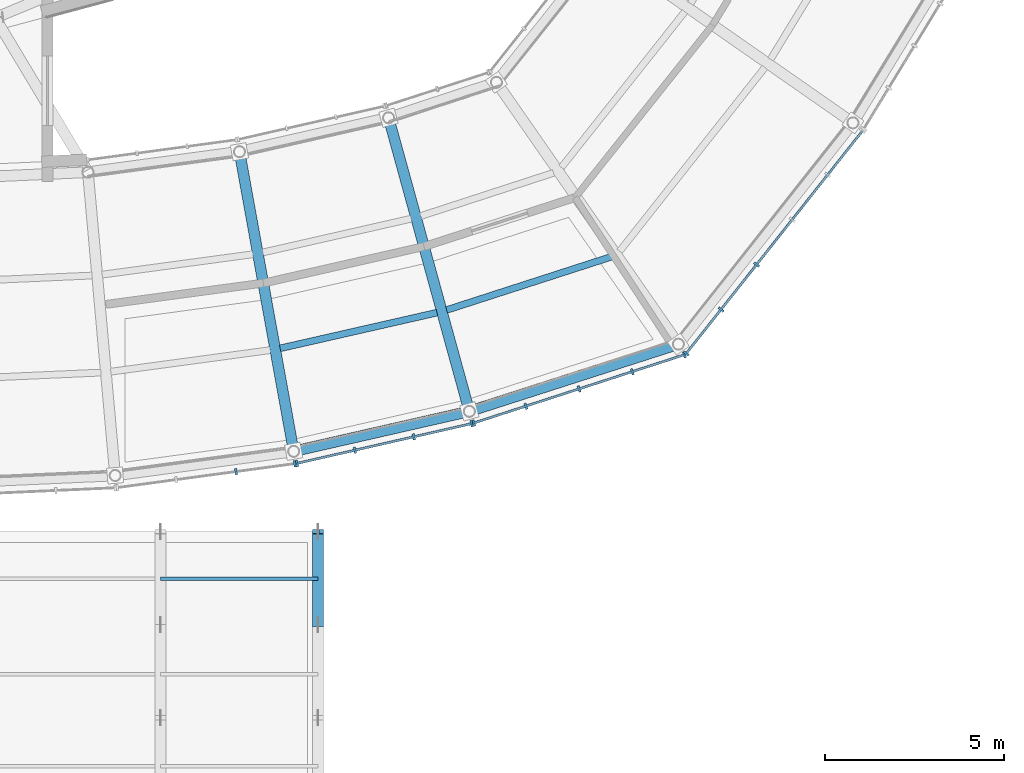
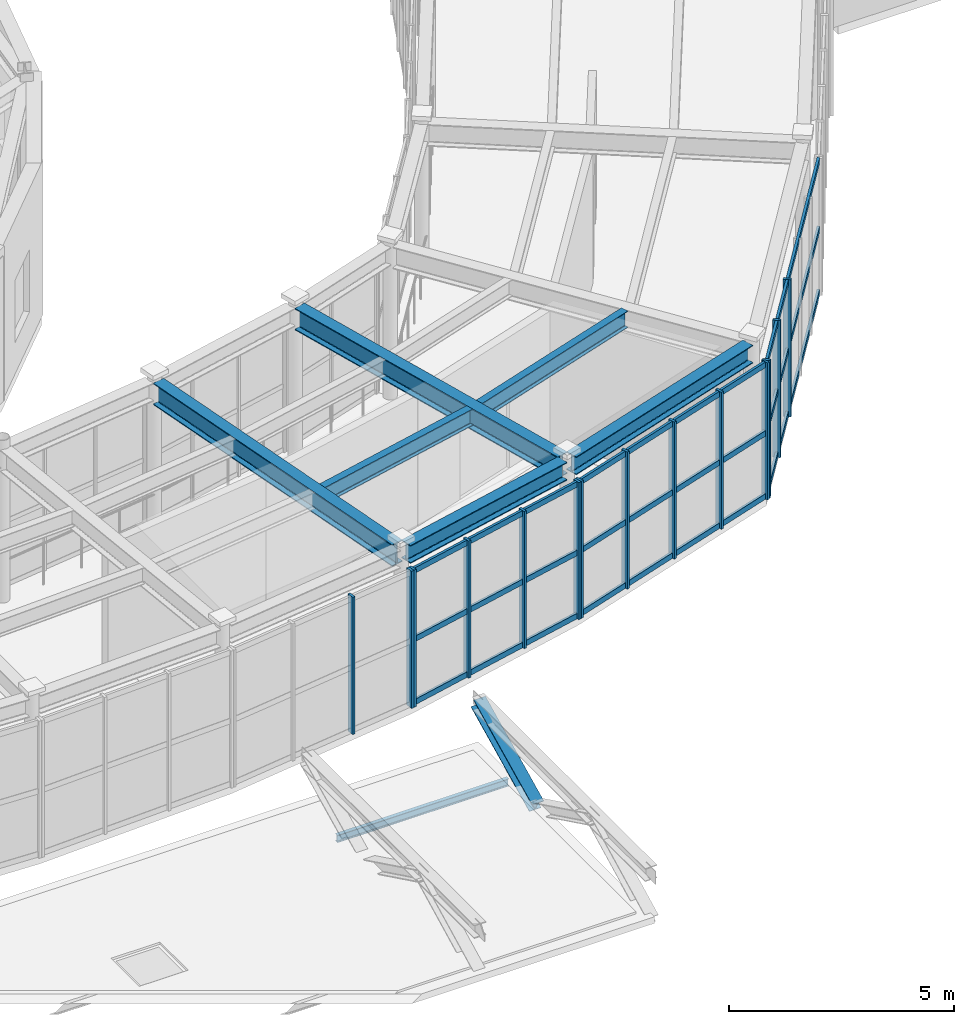
# One storey, part 27 of 103: 25 members, 6 beams, 4 elements without a shape of their own.
"""IFC4 building model written with IfcOpenShell, lengths in metres."""

from ifc_helpers import new_model, si_unit, direction, frame, origin, origin_2d, place, context, subcontext, project, spatial, rectangle, i_section, extrude, material, material_profile, profile_set, type_object, element, aggregate, save


model = new_model("IFC4")

# Units and contexts
model_context = context("Model", 3, precision=1e-05, world=origin(), true_north=direction((0.0, 1.0)))
body_context = subcontext(model_context, "Body", "Model", "MODEL_VIEW")
ifc_project = project(units=[si_unit("LENGTHUNIT", "METRE"), si_unit("AREAUNIT", "SQUARE_METRE"), si_unit("VOLUMEUNIT", "CUBIC_METRE"), si_unit("PLANEANGLEUNIT", "RADIAN"), si_unit("MASSUNIT", "GRAM", prefix="KILO")], contexts=[model_context])

# Site, building, storey
site_placement = place(None, origin())
site = spatial("IfcSite", under=ifc_project, at=site_placement, CompositionType="ELEMENT")
building_placement = place(site_placement, origin())
building = spatial("IfcBuilding", under=site, at=building_placement, Name="Varnklinge Art Gallery", CompositionType="ELEMENT")
storey_placement = place(building_placement, frame((0.0, 0.0, 5.10009765625)))
storey = spatial("IfcBuildingStorey", under=building, at=storey_placement, Name="L01", CompositionType="ELEMENT", Elevation=5.10009765625)

# Beams
ifc_material_1 = material(Name="Steel S355", Category="steel")
ifc_material_profile_1 = material_profile(ifc_material_1, i_section(OverallWidth=0.300048828125, OverallDepth=0.590087890625, WebThickness=0.012939453125, FlangeThickness=0.02490234375, FilletRadius=0.027099609375, at=origin_2d()), Name="HEA 600")
ifc_profile_set_1 = profile_set([ifc_material_profile_1], Name="Steel S355")
beam_type_1 = type_object("IfcBeamType", Name="BM-06", PredefinedType="BEAM", material=ifc_profile_set_1)
for number, where, z_axis, x_axis, name in (
    (1, (85.495361328125, 13.78271484375, 3.885009765625), (-0.178151776958, 0.984003020507, 0.0), (-0.984003020507, -0.178151776958, 0.0), "L01 BM-06 BM-V2-L02-R39"),
    (2, (90.392578125, 14.897705078125, 3.885009765625), (-0.26537851046, 0.96414430776, 0.0), (-0.96414430776, -0.26537851046, 0.0), "L01 BM-06 BM-V2-L02-R40"),
):
    element("IfcBeam", number, at=place(storey_placement, frame(where, z_axis=z_axis, x_axis=x_axis)), inside=storey, type_object=beam_type_1, Name=name, PredefinedType="BEAM", context=body_context, shape_type="SweptSolid", body=[
        extrude(i_section(OverallWidth=0.300048828125, OverallDepth=0.590087890625, WebThickness=0.012939453125, FlangeThickness=0.02490234375, FilletRadius=0.027099609375, at=origin_2d()), origin(), (0.0, 0.0, 1.0), 8.229248046875),
    ])

# Member
ifc_material_2 = material(Name="Steel S355", Category="steel")
ifc_material_profile_2 = material_profile(ifc_material_2, i_section(OverallWidth=0.300048828125, OverallDepth=0.300048828125, WebThickness=0.010986328125, FlangeThickness=0.01904296875, FilletRadius=0.027099609375, at=origin_2d()), Name="HEB 300")
ifc_profile_set_2 = profile_set([ifc_material_profile_2], Name="Steel S355")
member_type_1 = type_object("IfcMemberType", Name="CHD-02", PredefinedType="CHORD", material=ifc_profile_set_2)
member_1_placement = place(storey_placement, frame((86.199951171875, 11.39990234375, 1.0498046875), z_axis=(0.0, -0.898523407321, -0.438925604741), x_axis=(1.0, 0.0, 0.0)))
element("IfcMember", 3, at=member_1_placement, inside=storey, type_object=member_type_1, Name="Entrance Canopy Truss Diagonal 4.1", PredefinedType="CHORD", context=body_context, shape_type="SweptSolid", body=[
    extrude(i_section(OverallWidth=0.300048828125, OverallDepth=0.300048828125, WebThickness=0.010986328125, FlangeThickness=0.01904296875, FilletRadius=0.027099609375, at=origin_2d()), origin(), (0.0, 0.0, 1.0), 2.8935546875),
])

# Beams
ifc_material_3 = material(Name="Steel S355", Category="steel")
ifc_material_profile_3 = material_profile(ifc_material_3, i_section(OverallWidth=0.18994140625, OverallDepth=0.449951171875, WebThickness=0.009521484375, FlangeThickness=0.0146484375, FilletRadius=0.02099609375, at=origin_2d()), Name="IPE 450")
ifc_profile_set_3 = profile_set([ifc_material_profile_3], Name="Steel S355")
beam_type_2 = type_object("IfcBeamType", Name="JST-04", PredefinedType="JOIST", material=ifc_profile_set_3)
beam_1_placement = place(storey_placement, frame((85.141357421875, 16.52294921875, 3.954833984375), z_axis=(0.975052249235, 0.22197547446, 0.0), x_axis=(-0.22197547446, 0.975052249235, 0.0)))
element("IfcBeam", 4, at=beam_1_placement, inside=storey, type_object=beam_type_2, Name="L01 JST-04 JST-V2-L02-39-1", PredefinedType="JOIST", context=body_context, shape_type="SweptSolid", body=[
    extrude(i_section(OverallWidth=0.18994140625, OverallDepth=0.449951171875, WebThickness=0.009521484375, FlangeThickness=0.0146484375, FilletRadius=0.02099609375, at=origin_2d()), origin(), (0.0, 0.0, 1.0), 4.49609375),
])
beam_2_placement = place(storey_placement, frame((89.795166015625, 17.59521484375, 3.954833984375), z_axis=(0.951573262441, 0.307422065259, 0.0), x_axis=(-0.307422065259, 0.951573262441, 0.0)))
element("IfcBeam", 5, at=beam_2_placement, inside=storey, type_object=beam_type_2, Name="L01 JST-04 JST-V2-L02-40-1", PredefinedType="JOIST", context=body_context, shape_type="SweptSolid", body=[
    extrude(i_section(OverallWidth=0.18994140625, OverallDepth=0.449951171875, WebThickness=0.009521484375, FlangeThickness=0.0146484375, FilletRadius=0.02099609375, at=origin_2d()), origin(), (0.0, 0.0, 1.0), 4.848388671875),
])

# Curtain wall, members
ifc_material_4 = material(Name="Anodised Aluminium", Category="aluminium")
curtain_wall_type_1 = type_object("IfcCurtainWallType", Name="CW-R02", PredefinedType="USERDEFINED", material=ifc_material_4)
curtain_wall_1_placement = place(storey_placement, origin())
curtain_wall_1 = element("IfcCurtainWall", 6, at=curtain_wall_1_placement, inside=storey, type_object=curtain_wall_type_1, Name="L01 Curtain Wall CW-V2O-L01-01", ObjectType="UNITISED CURTAIN WALL", PredefinedType="USERDEFINED")
ifc_material_5 = material(Name="Anodised Aluminium", Category="aluminium")
ifc_material_profile_4 = material_profile(ifc_material_5, rectangle(XDim=0.06494140625, YDim=0.179931640625, at=origin_2d()), Name="ALU 65x180")
ifc_profile_set_4 = profile_set([ifc_material_profile_4], Name="Anodised Aluminium")
member_type_2 = type_object("IfcMemberType", Name="MUL-01", PredefinedType="MULLION", material=ifc_profile_set_4)
member_2_placement = place(storey_placement, frame((96.49072265625, 16.37841796875, 0.0), z_axis=(0.0, 0.0, 1.0), x_axis=(0.620737354217, 0.784018582101, 0.0)))
member_2 = element("IfcMember", 7, at=member_2_placement, type_object=member_type_2, Name="CW-V2O-L01-01 Mullion 1", PredefinedType="MULLION", context=body_context, shape_type="SweptSolid", body=[
    extrude(rectangle(XDim=0.06494140625, YDim=0.179931640625, at=origin_2d()), origin(), (0.0, 0.0, 1.0), 3.72998046875),
])
member_3_placement = place(storey_placement, frame((97.4638671875, 17.607177734375, 0.0), z_axis=(0.0, 0.0, 1.0), x_axis=(0.620737354217, 0.784018582101, 0.0)))
member_3 = element("IfcMember", 8, at=member_3_placement, type_object=member_type_2, Name="CW-V2O-L01-01 Mullion 2", PredefinedType="MULLION", context=body_context, shape_type="SweptSolid", body=[
    extrude(rectangle(XDim=0.06494140625, YDim=0.179931640625, at=origin_2d()), origin(), (0.0, 0.0, 1.0), 3.72998046875),
])
member_4_placement = place(storey_placement, frame((98.457275390625, 18.86181640625, 0.0), z_axis=(0.0, 0.0, 1.0), x_axis=(0.620737354217, 0.784018582101, 0.0)))
member_4 = element("IfcMember", 9, at=member_4_placement, type_object=member_type_2, Name="CW-V2O-L01-01 Mullion 3", PredefinedType="MULLION", context=body_context, shape_type="SweptSolid", body=[
    extrude(rectangle(XDim=0.06494140625, YDim=0.179931640625, at=origin_2d()), origin(), (0.0, 0.0, 1.0), 3.72998046875),
])

ifc_material_6 = material(Name="Anodised Aluminium", Category="aluminium")
curtain_wall_type_2 = type_object("IfcCurtainWallType", Name="CW-R04", PredefinedType="USERDEFINED", material=ifc_material_6)
curtain_wall_2_placement = place(storey_placement, origin())
curtain_wall_2 = element("IfcCurtainWall", 10, at=curtain_wall_2_placement, inside=storey, type_object=curtain_wall_type_2, Name="L01 Curtain Wall CW-V2O-L01-38", ObjectType="UNITISED CURTAIN WALL", PredefinedType="USERDEFINED")
member_5_placement = place(storey_placement, frame((83.908935546875, 13.074462890625, 0.0), z_axis=(0.0, 0.0, 1.0), x_axis=(0.990983199715, 0.133986185418, 0.0)))
member_5 = element("IfcMember", 11, at=member_5_placement, type_object=member_type_2, Name="CW-V2O-L01-38 Mullion 3", PredefinedType="MULLION", context=body_context, shape_type="SweptSolid", body=[
    extrude(rectangle(XDim=0.06494140625, YDim=0.179931640625, at=origin_2d()), origin(), (0.0, 0.0, 1.0), 3.72998046875),
])
member_6_placement = place(storey_placement, frame((85.55029296875, 13.296142578125, 0.0), z_axis=(0.0, 0.0, 1.0), x_axis=(0.990983199715, 0.133986185418, 0.0)))
member_6 = element("IfcMember", 12, at=member_6_placement, type_object=member_type_2, Name="CW-V2O-L01-38 Mullion 4", PredefinedType="MULLION", context=body_context, shape_type="SweptSolid", body=[
    extrude(rectangle(XDim=0.06494140625, YDim=0.179931640625, at=origin_2d()), origin(), (0.0, 0.0, 1.0), 3.72998046875),
])
aggregate(curtain_wall_2, [member_5, member_6])

curtain_wall_3_placement = place(storey_placement, origin())
curtain_wall_3 = element("IfcCurtainWall", 13, at=curtain_wall_3_placement, inside=storey, type_object=curtain_wall_type_2, Name="L01 Curtain Wall CW-V2O-L01-39", ObjectType="UNITISED CURTAIN WALL", PredefinedType="USERDEFINED")
member_7_placement = place(storey_placement, frame((85.6142578125, 13.307861328125, 0.0), z_axis=(0.0, 0.0, 1.0), x_axis=(0.975071959883, 0.221888875454, 0.0)))
member_7 = element("IfcMember", 14, at=member_7_placement, type_object=member_type_2, Name="CW-V2O-L01-39 Mullion 1", PredefinedType="MULLION", context=body_context, shape_type="SweptSolid", body=[
    extrude(rectangle(XDim=0.06494140625, YDim=0.179931640625, at=origin_2d()), origin(), (0.0, 0.0, 1.0), 3.72998046875),
])
member_8_placement = place(storey_placement, frame((87.229248046875, 13.675537109375, 0.0), z_axis=(0.0, 0.0, 1.0), x_axis=(0.975071959883, 0.221888875454, 0.0)))
member_8 = element("IfcMember", 15, at=member_8_placement, type_object=member_type_2, Name="CW-V2O-L01-39 Mullion 2", PredefinedType="MULLION", context=body_context, shape_type="SweptSolid", body=[
    extrude(rectangle(XDim=0.06494140625, YDim=0.179931640625, at=origin_2d()), origin(), (0.0, 0.0, 1.0), 3.72998046875),
])
member_9_placement = place(storey_placement, frame((88.8759765625, 14.05029296875, 0.0), z_axis=(0.0, 0.0, 1.0), x_axis=(0.975071959883, 0.221888875454, 0.0)))
member_9 = element("IfcMember", 16, at=member_9_placement, type_object=member_type_2, Name="CW-V2O-L01-39 Mullion 3", PredefinedType="MULLION", context=body_context, shape_type="SweptSolid", body=[
    extrude(rectangle(XDim=0.06494140625, YDim=0.179931640625, at=origin_2d()), origin(), (0.0, 0.0, 1.0), 3.72998046875),
])
member_10_placement = place(storey_placement, frame((90.490966796875, 14.41796875, 0.0), z_axis=(0.0, 0.0, 1.0), x_axis=(0.975071959883, 0.221888875454, 0.0)))
member_10 = element("IfcMember", 17, at=member_10_placement, type_object=member_type_2, Name="CW-V2O-L01-39 Mullion 4", PredefinedType="MULLION", context=body_context, shape_type="SweptSolid", body=[
    extrude(rectangle(XDim=0.06494140625, YDim=0.179931640625, at=origin_2d()), origin(), (0.0, 0.0, 1.0), 3.72998046875),
])

curtain_wall_4_placement = place(storey_placement, origin())
curtain_wall_4 = element("IfcCurtainWall", 18, at=curtain_wall_4_placement, inside=storey, type_object=curtain_wall_type_1, Name="L01 Curtain Wall CW-V2O-L01-40", ObjectType="UNITISED CURTAIN WALL", PredefinedType="USERDEFINED")
member_11_placement = place(storey_placement, frame((90.553466796875, 14.435302734375, 0.0), z_axis=(0.0, 0.0, 1.0), x_axis=(0.951272019071, 0.30835295642, 0.0)))
member_11 = element("IfcMember", 19, at=member_11_placement, type_object=member_type_2, Name="CW-V2O-L01-40 Mullion 1", PredefinedType="MULLION", context=body_context, shape_type="SweptSolid", body=[
    extrude(rectangle(XDim=0.06494140625, YDim=0.179931640625, at=origin_2d()), origin(), (0.0, 0.0, 1.0), 3.72998046875),
])
member_12_placement = place(storey_placement, frame((92.009521484375, 14.906982421875, 0.0), z_axis=(0.0, 0.0, 1.0), x_axis=(0.951272019071, 0.30835295642, 0.0)))
member_12 = element("IfcMember", 20, at=member_12_placement, type_object=member_type_2, Name="CW-V2O-L01-40 Mullion 2", PredefinedType="MULLION", context=body_context, shape_type="SweptSolid", body=[
    extrude(rectangle(XDim=0.06494140625, YDim=0.179931640625, at=origin_2d()), origin(), (0.0, 0.0, 1.0), 3.72998046875),
])
member_13_placement = place(storey_placement, frame((93.49658203125, 15.388916015625, 0.0), z_axis=(0.0, 0.0, 1.0), x_axis=(0.951272019071, 0.30835295642, 0.0)))
member_13 = element("IfcMember", 21, at=member_13_placement, type_object=member_type_2, Name="CW-V2O-L01-40 Mullion 3", PredefinedType="MULLION", context=body_context, shape_type="SweptSolid", body=[
    extrude(rectangle(XDim=0.06494140625, YDim=0.179931640625, at=origin_2d()), origin(), (0.0, 0.0, 1.0), 3.72998046875),
])
member_14_placement = place(storey_placement, frame((94.983642578125, 15.870849609375, 0.0), z_axis=(0.0, 0.0, 1.0), x_axis=(0.951272019071, 0.30835295642, 0.0)))
member_14 = element("IfcMember", 22, at=member_14_placement, type_object=member_type_2, Name="CW-V2O-L01-40 Mullion 4", PredefinedType="MULLION", context=body_context, shape_type="SweptSolid", body=[
    extrude(rectangle(XDim=0.06494140625, YDim=0.179931640625, at=origin_2d()), origin(), (0.0, 0.0, 1.0), 3.72998046875),
])
member_15_placement = place(storey_placement, frame((96.439697265625, 16.3427734375, 0.0), z_axis=(0.0, 0.0, 1.0), x_axis=(0.951272019071, 0.30835295642, 0.0)))
member_15 = element("IfcMember", 23, at=member_15_placement, type_object=member_type_2, Name="CW-V2O-L01-40 Mullion 5", PredefinedType="MULLION", context=body_context, shape_type="SweptSolid", body=[
    extrude(rectangle(XDim=0.06494140625, YDim=0.179931640625, at=origin_2d()), origin(), (0.0, 0.0, 1.0), 3.72998046875),
])

# Member
ifc_material_7 = material(Name="Steel S355", Category="steel")
ifc_material_profile_5 = material_profile(ifc_material_7, i_section(OverallWidth=0.10009765625, OverallDepth=0.199951171875, WebThickness=0.005615234375, FlangeThickness=0.008544921875, FilletRadius=0.011962890625, at=origin_2d()), Name="IPE 200")
ifc_profile_set_5 = profile_set([ifc_material_profile_5], Name="Steel S355")
member_type_3 = type_object("IfcMemberType", Name="PRL-01", PredefinedType="PURLIN", material=ifc_profile_set_5)
member_16_placement = place(storey_placement, frame((81.800048828125, 10.080078125, -0.320068359375), z_axis=(1.0, 0.0, 0.0), x_axis=(0.0, 1.0, 0.0)))
element("IfcMember", 24, at=member_16_placement, inside=storey, type_object=member_type_3, Name="Canopy Purlin 3.3", PredefinedType="PURLIN", context=body_context, shape_type="SweptSolid", body=[
    extrude(i_section(OverallWidth=0.10009765625, OverallDepth=0.199951171875, WebThickness=0.005615234375, FlangeThickness=0.008544921875, FilletRadius=0.011962890625, at=origin_2d()), origin(), (0.0, 0.0, 1.0), 4.39990234375),
])

# Beams
ifc_material_8 = material(Name="Steel S355", Category="steel")
ifc_material_profile_6 = material_profile(ifc_material_8, i_section(OverallWidth=0.300048828125, OverallDepth=0.489990234375, WebThickness=0.011962890625, FlangeThickness=0.02294921875, FilletRadius=0.027099609375, at=origin_2d()), Name="HEA 500")
ifc_profile_set_6 = profile_set([ifc_material_profile_6], Name="Steel S355")
beam_type_3 = type_object("IfcBeamType", Name="SPB-01", PredefinedType="SPANDREL", material=ifc_profile_set_6)
beam_3_placement = place(storey_placement, frame((85.65673828125, 13.676025390625, 3.934814453125), z_axis=(0.975056640979, 0.221956182347, 0.0), x_axis=(-0.221956182347, 0.975056640979, 0.0)))
element("IfcBeam", 25, at=beam_3_placement, inside=storey, type_object=beam_type_3, Name="L01 SPB-01 BM-V2-L02-O39", PredefinedType="SPANDREL", context=body_context, shape_type="SweptSolid", body=[
    extrude(i_section(OverallWidth=0.300048828125, OverallDepth=0.489990234375, WebThickness=0.011962890625, FlangeThickness=0.02294921875, FilletRadius=0.027099609375, at=origin_2d()), origin(), (0.0, 0.0, 1.0), 4.755126953125),
])
beam_4_placement = place(storey_placement, frame((90.56298828125, 14.805419921875, 3.934814453125), z_axis=(0.952022487869, 0.306028074843, 0.0), x_axis=(-0.306028074843, 0.952022487869, 0.0)))
element("IfcBeam", 26, at=beam_4_placement, inside=storey, type_object=beam_type_3, Name="L01 SPB-01 BM-V2-L02-O40", PredefinedType="SPANDREL", context=body_context, shape_type="SweptSolid", body=[
    extrude(i_section(OverallWidth=0.300048828125, OverallDepth=0.489990234375, WebThickness=0.011962890625, FlangeThickness=0.02294921875, FilletRadius=0.027099609375, at=origin_2d()), origin(), (0.0, 0.0, 1.0), 5.855712890625),
])

# Member
ifc_material_9 = material(Name="Anodised Aluminium", Category="aluminium")
ifc_material_profile_7 = material_profile(ifc_material_9, rectangle(XDim=0.06494140625, YDim=0.14990234375, at=origin_2d()), Name="ALU 65x150")
ifc_profile_set_7 = profile_set([ifc_material_profile_7], Name="Anodised Aluminium")
member_type_4 = type_object("IfcMemberType", Name="TRN-01", PredefinedType="USERDEFINED", material=ifc_profile_set_7)
member_17_placement = place(storey_placement, frame((96.49072265625, 16.37841796875, 0.074951171875), z_axis=(0.620773865462, 0.783989673376, 0.0), x_axis=(-0.783989673376, 0.620773865462, 0.0)))
member_17 = element("IfcMember", 27, at=member_17_placement, type_object=member_type_4, Name="CW-V2O-L01-01 Transom 1", ObjectType="TRANSOM", PredefinedType="USERDEFINED", context=body_context, shape_type="SweptSolid", body=[
    extrude(rectangle(XDim=0.06494140625, YDim=0.14990234375, at=origin_2d()), origin(), (0.0, 0.0, 1.0), 7.935302734375),
])

member_18_placement = place(storey_placement, frame((96.49072265625, 16.37841796875, 1.790283203125), z_axis=(0.620773865462, 0.783989673376, 0.0), x_axis=(-0.783989673376, 0.620773865462, 0.0)))
member_18 = element("IfcMember", 28, at=member_18_placement, type_object=member_type_4, Name="CW-V2O-L01-01 Transom 2", ObjectType="TRANSOM", PredefinedType="USERDEFINED", context=body_context, shape_type="SweptSolid", body=[
    extrude(rectangle(XDim=0.06494140625, YDim=0.14990234375, at=origin_2d()), origin(), (0.0, 0.0, 1.0), 7.935302734375),
])

member_19_placement = place(storey_placement, frame((96.49072265625, 16.37841796875, 3.65478515625), z_axis=(0.620773865462, 0.783989673376, 0.0), x_axis=(-0.783989673376, 0.620773865462, 0.0)))
member_19 = element("IfcMember", 29, at=member_19_placement, type_object=member_type_4, Name="CW-V2O-L01-01 Transom 3", ObjectType="TRANSOM", PredefinedType="USERDEFINED", context=body_context, shape_type="SweptSolid", body=[
    extrude(rectangle(XDim=0.06494140625, YDim=0.14990234375, at=origin_2d()), origin(), (0.0, 0.0, 1.0), 7.935302734375),
])

aggregate(curtain_wall_1, [member_2, member_3, member_4, member_17, member_18, member_19])

member_20_placement = place(storey_placement, frame((85.6142578125, 13.307861328125, 0.074951171875), z_axis=(0.975056556425, 0.221956553795, 0.0), x_axis=(-0.221956553795, 0.975056556425, 0.0)))
member_20 = element("IfcMember", 30, at=member_20_placement, type_object=member_type_4, Name="CW-V2O-L01-39 Transom 1", ObjectType="TRANSOM", PredefinedType="USERDEFINED", context=body_context, shape_type="SweptSolid", body=[
    extrude(rectangle(XDim=0.06494140625, YDim=0.14990234375, at=origin_2d()), origin(), (0.0, 0.0, 1.0), 5.00146484375),
])

member_21_placement = place(storey_placement, frame((85.6142578125, 13.307861328125, 1.790283203125), z_axis=(0.975056556425, 0.221956553795, 0.0), x_axis=(-0.221956553795, 0.975056556425, 0.0)))
member_21 = element("IfcMember", 31, at=member_21_placement, type_object=member_type_4, Name="CW-V2O-L01-39 Transom 2", ObjectType="TRANSOM", PredefinedType="USERDEFINED", context=body_context, shape_type="SweptSolid", body=[
    extrude(rectangle(XDim=0.06494140625, YDim=0.14990234375, at=origin_2d()), origin(), (0.0, 0.0, 1.0), 5.00146484375),
])

member_22_placement = place(storey_placement, frame((85.6142578125, 13.307861328125, 3.65478515625), z_axis=(0.975056556425, 0.221956553795, 0.0), x_axis=(-0.221956553795, 0.975056556425, 0.0)))
member_22 = element("IfcMember", 32, at=member_22_placement, type_object=member_type_4, Name="CW-V2O-L01-39 Transom 3", ObjectType="TRANSOM", PredefinedType="USERDEFINED", context=body_context, shape_type="SweptSolid", body=[
    extrude(rectangle(XDim=0.06494140625, YDim=0.14990234375, at=origin_2d()), origin(), (0.0, 0.0, 1.0), 5.00146484375),
])

aggregate(curtain_wall_3, [member_7, member_8, member_9, member_10, member_20, member_21, member_22])

member_23_placement = place(storey_placement, frame((90.553466796875, 14.435302734375, 0.074951171875), z_axis=(0.951297583727, 0.308274078045, 0.0), x_axis=(-0.308274078045, 0.951297583727, 0.0)))
member_23 = element("IfcMember", 33, at=member_23_placement, type_object=member_type_4, Name="CW-V2O-L01-40 Transom 1", ObjectType="TRANSOM", PredefinedType="USERDEFINED", context=body_context, shape_type="SweptSolid", body=[
    extrude(rectangle(XDim=0.06494140625, YDim=0.14990234375, at=origin_2d()), origin(), (0.0, 0.0, 1.0), 6.1875),
])

member_24_placement = place(storey_placement, frame((90.553466796875, 14.435302734375, 1.790283203125), z_axis=(0.951297583727, 0.308274078045, 0.0), x_axis=(-0.308274078045, 0.951297583727, 0.0)))
member_24 = element("IfcMember", 34, at=member_24_placement, type_object=member_type_4, Name="CW-V2O-L01-40 Transom 2", ObjectType="TRANSOM", PredefinedType="USERDEFINED", context=body_context, shape_type="SweptSolid", body=[
    extrude(rectangle(XDim=0.06494140625, YDim=0.14990234375, at=origin_2d()), origin(), (0.0, 0.0, 1.0), 6.1875),
])

member_25_placement = place(storey_placement, frame((90.553466796875, 14.435302734375, 3.65478515625), z_axis=(0.951297583727, 0.308274078045, 0.0), x_axis=(-0.308274078045, 0.951297583727, 0.0)))
member_25 = element("IfcMember", 35, at=member_25_placement, type_object=member_type_4, Name="CW-V2O-L01-40 Transom 3", ObjectType="TRANSOM", PredefinedType="USERDEFINED", context=body_context, shape_type="SweptSolid", body=[
    extrude(rectangle(XDim=0.06494140625, YDim=0.14990234375, at=origin_2d()), origin(), (0.0, 0.0, 1.0), 6.1875),
])

aggregate(curtain_wall_4, [member_11, member_12, member_13, member_14, member_15, member_23, member_24, member_25])

save(model, "model.ifc")
